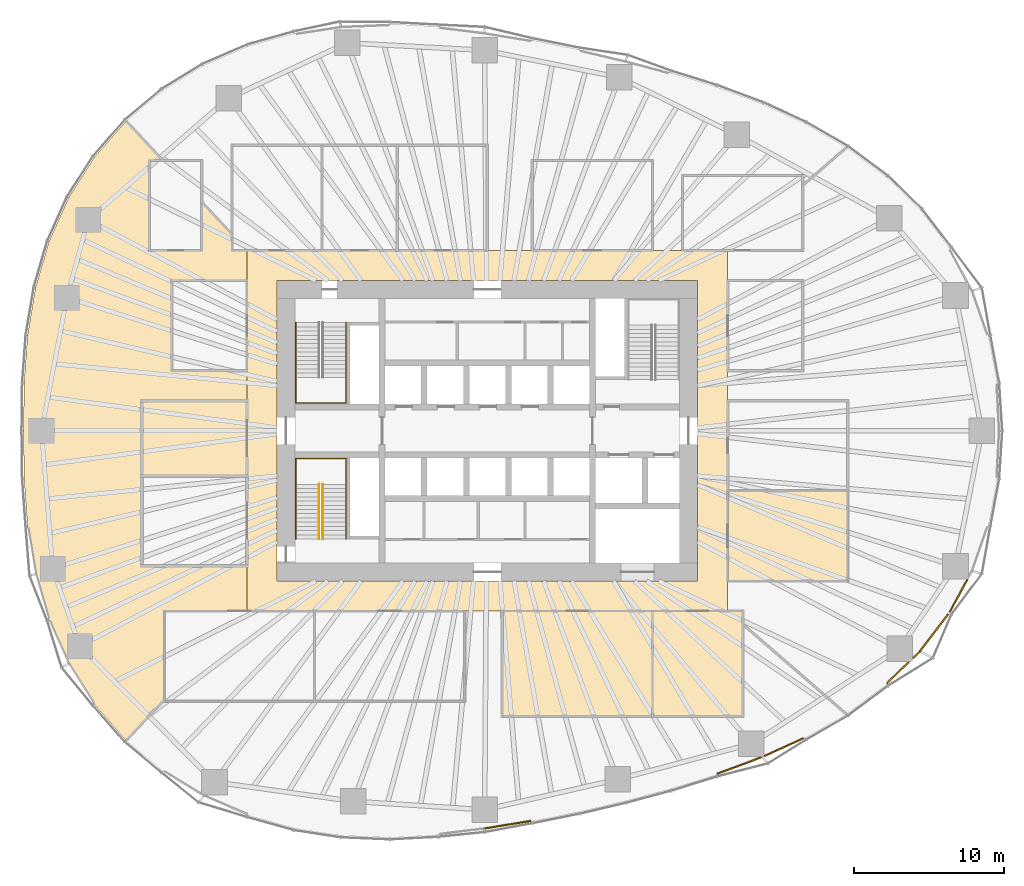
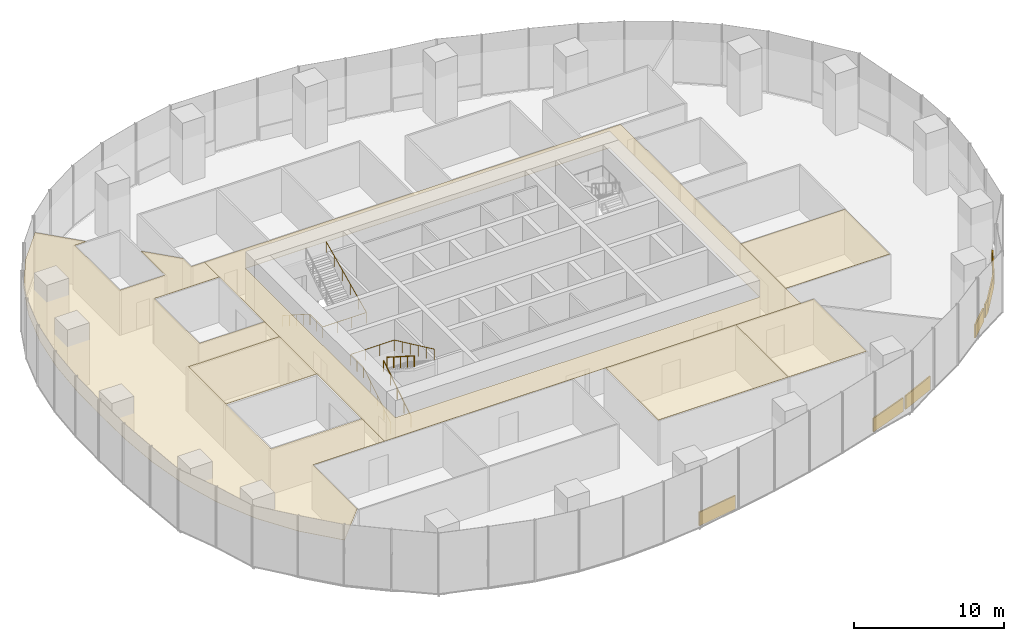
# One storey, part 18 of 20: 13 coverings, 4 railings.
"""IFC4 building model written with IfcOpenShell, lengths in metres."""

import ifcopenshell
import ifcopenshell.guid

model = None  # the IFC model being written
_history = None  # IfcOwnerHistory: only IFC2X3 demands one
_inside = {}  # id of a spatial element -> (the spatial element, [elements in it])
_under = {}  # id of a project, library or spatial element -> (it, [spatial elements below it])
_declared = {}  # id of a project -> (the project, [libraries it declares])
_typed = {}  # id of a type object -> (the type object, [elements of that type])
_made_of = {}  # id of a material, layer set ... -> (it, [elements and type objects made of it])


def new_model(schema):
    """Start an empty IFC model of exactly this schema.

    Asked for "IFC4X3", IfcOpenShell would pick the latest addendum, in which some entities
    have other attributes; the version numbers below select the first issue.
    IFC2X3 requires an IfcOwnerHistory on every rooted entity: one is made here for all.
    """
    global model, _history
    if schema == "IFC4X3":
        model = ifcopenshell.file(schema_version=(4, 3, 0, 0))
    else:
        model = ifcopenshell.file(schema=schema)
    _inside.clear()
    _under.clear()
    _declared.clear()
    _typed.clear()
    _made_of.clear()
    _history = None
    if model.schema == "IFC2X3":
        org = make("IfcOrganization", Name="unknown")
        user = make(
            "IfcPersonAndOrganization",
            ThePerson=make("IfcPerson", FamilyName="unknown"),
            TheOrganization=org,
        )
        app = make(
            "IfcApplication",
            ApplicationDeveloper=org,
            Version="unknown",
            ApplicationFullName="unknown",
            ApplicationIdentifier="unknown",
        )
        _history = make(
            "IfcOwnerHistory",
            OwningUser=user,
            OwningApplication=app,
            ChangeAction="ADDED",
            CreationDate=0,
        )
    return model


def make(cls, **values):
    """One entity of the class cls with the attributes given. An attribute that is None is left unset."""
    return model.create_entity(
        cls, **{name: value for name, value in values.items() if value is not None}
    )


def rooted(cls, **values):
    """An entity with a GlobalId (a new one), such as an element, a storey or a relation."""
    return make(cls, GlobalId=ifcopenshell.guid.new(), OwnerHistory=_history, **values)


def si_unit(unit_type, name, prefix=None):
    """IfcSIUnit, for example si_unit("LENGTHUNIT", "METRE", prefix="MILLI")."""
    return make("IfcSIUnit", UnitType=unit_type, Prefix=prefix, Name=name)


def assignment(units):
    """IfcUnitAssignment: the units of a project."""
    return None if units is None else make("IfcUnitAssignment", Units=units)


def point(xyz):
    """IfcCartesianPoint."""
    return None if xyz is None else make("IfcCartesianPoint", Coordinates=xyz)


def direction(xyz):
    """IfcDirection."""
    return None if xyz is None else make("IfcDirection", DirectionRatios=xyz)


def frame(location, z_axis=None, x_axis=None):
    """IfcAxis2Placement3D, a coordinate frame: its origin and axes. An axis left out is left unset."""
    return make(
        "IfcAxis2Placement3D",
        Location=point(location),
        Axis=direction(z_axis),
        RefDirection=direction(x_axis),
    )


def frame_2d(location, x_axis=None):
    """IfcAxis2Placement2D, a coordinate frame in the plane: its origin and x axis."""
    return make(
        "IfcAxis2Placement2D", Location=point(location), RefDirection=direction(x_axis)
    )


def origin():
    """The frame at (0, 0, 0) with its axes left unset."""
    return frame((0.0, 0.0, 0.0))


def origin_2d():
    """The frame at (0, 0) in the plane with its x axis left unset."""
    return frame_2d((0.0, 0.0))


def place(relative_to, where):
    """IfcLocalPlacement: puts the frame where relative to a parent placement (None: the world)."""
    return make(
        "IfcLocalPlacement", PlacementRelTo=relative_to, RelativePlacement=where
    )


def context(
    kind, dimensions, precision=None, world=None, true_north=None, identifier=None
):
    """IfcGeometricRepresentationContext, for example the 3D "Model" context."""
    return make(
        "IfcGeometricRepresentationContext",
        ContextIdentifier=identifier,
        ContextType=kind,
        CoordinateSpaceDimension=dimensions,
        Precision=precision,
        WorldCoordinateSystem=world,
        TrueNorth=true_north,
    )


def subcontext(parent, identifier, kind, view, scale=None):
    """IfcGeometricRepresentationSubContext, for example "Body" below "Model"."""
    return make(
        "IfcGeometricRepresentationSubContext",
        ContextIdentifier=identifier,
        ContextType=kind,
        ParentContext=parent,
        TargetScale=scale,
        TargetView=view,
    )


def project(units=None, contexts=None):
    """IfcProject with its units and contexts."""
    return rooted(
        "IfcProject",
        Name="project",
        RepresentationContexts=contexts,
        UnitsInContext=assignment(units),
    )


def spatial(cls, under=None, at=None, **own):
    """A site, building, storey or space (cls), placed at a placement, below another one or the project."""
    s = rooted(cls, ObjectPlacement=at, **own)
    if under is not None:
        _under.setdefault(under.id(), (under, []))[1].append(s)
    return s


def polyline(points):
    """IfcPolyline through the points."""
    return make("IfcPolyline", Points=[point(p) for p in points])


def profile(cls, at=None, kind="AREA", **sizes):
    """A parametric profile (cls). Its sizes go by their IFC names, for example OverallWidth=200.0."""
    return make(cls, ProfileType=kind, Position=at, **sizes)


def rectangle(**sizes):
    """IfcRectangleProfileDef."""
    return profile("IfcRectangleProfileDef", **sizes)


def circle(**sizes):
    """IfcCircleProfileDef."""
    return profile("IfcCircleProfileDef", **sizes)


def outline(outer, holes=None, kind="AREA"):
    """IfcArbitraryClosedProfileDef: a profile drawn as a closed curve; with holes, ...WithVoids."""
    if holes is None:
        return make("IfcArbitraryClosedProfileDef", ProfileType=kind, OuterCurve=outer)
    return make(
        "IfcArbitraryProfileDefWithVoids",
        ProfileType=kind,
        OuterCurve=outer,
        InnerCurves=holes,
    )


def extrude(swept, where, along, depth):
    """IfcExtrudedAreaSolid: the profile swept, set in the frame where, extruded along a direction by depth."""
    return make(
        "IfcExtrudedAreaSolid",
        SweptArea=swept,
        Position=where,
        ExtrudedDirection=direction(along),
        Depth=depth,
    )


def shape(context_of_items, identifier, shape_type, items):
    """IfcShapeRepresentation: the items that make up one representation, for example the "Body"."""
    return make(
        "IfcShapeRepresentation",
        ContextOfItems=context_of_items,
        RepresentationIdentifier=identifier,
        RepresentationType=shape_type,
        Items=items,
    )


def material(Name=None, Category=None):
    """IfcMaterial."""
    return make("IfcMaterial", Name=Name, Category=Category)


def layer(
    of_material, thickness, ventilated=None, Name=None, Category=None, Priority=None
):
    """IfcMaterialLayer: one layer of a wall or slab, of a material (None: an air gap)."""
    return make(
        "IfcMaterialLayer",
        Material=of_material,
        LayerThickness=thickness,
        IsVentilated=ventilated,
        Name=Name,
        Category=Category,
        Priority=Priority,
    )


def layer_set(layers, Name=None):
    """IfcMaterialLayerSet."""
    return make("IfcMaterialLayerSet", MaterialLayers=layers, LayerSetName=Name)


def made_of(thing, what):
    """Note that an element or type object is made of a material, layer set ...; save() writes the relation."""
    if what is not None:
        _made_of.setdefault(what.id(), (what, []))[1].append(thing)
    return thing


def type_object(cls, material=None, **own):
    """A type object (cls), such as IfcWallType, which elements share."""
    return made_of(rooted(cls, **own), material)


def element(
    cls,
    number,
    at=None,
    inside=None,
    cuts=None,
    type_object=None,
    material=None,
    context=None,
    identifier="Body",
    shape_type=None,
    held_by="IfcProductDefinitionShape",
    body=None,
    shapes=None,
    **own,
):
    """One element of the class cls, such as IfcWall. Its Tag is "e" and its number.

    at: its placement. inside: the storey or other place that contains it. cuts: it is an
    opening in that element (IfcRelVoidsElement). A single representation is given by context,
    identifier, shape_type and body (its items); several are given by shapes. held_by: the class
    of the entity that holds the representations. save() writes the other relations.
    """
    e = rooted(cls, Tag="e%d" % number, ObjectPlacement=at, **own)
    if body is not None:
        shapes = [shape(context, identifier, shape_type, body)]
    if shapes is not None:
        e.Representation = make(held_by, Representations=shapes)
    if inside is not None:
        _inside.setdefault(inside.id(), (inside, []))[1].append(e)
    if cuts is not None:
        rooted(
            "IfcRelVoidsElement", RelatingBuildingElement=cuts, RelatedOpeningElement=e
        )
    if type_object is not None:
        _typed.setdefault(type_object.id(), (type_object, []))[1].append(e)
    return made_of(e, material)


def aggregate(whole, parts):
    """IfcRelAggregates: a whole, such as a stair, and the parts it consists of."""
    return rooted("IfcRelAggregates", RelatingObject=whole, RelatedObjects=parts)


def save(model, path):
    """Write the relations noted so far, then the file.

    IfcRelAggregates (storeys below a building ...), IfcRelContainedInSpatialStructure (elements
    in a storey), IfcRelDefinesByType, IfcRelAssociatesMaterial and IfcRelDeclares: one each for
    every whole, place, type object, material and project.
    """
    for whole, parts in _under.values():
        aggregate(whole, parts)
    for where, things in _inside.values():
        rooted(
            "IfcRelContainedInSpatialStructure",
            RelatedElements=things,
            RelatingStructure=where,
        )
    for kind, things in _typed.values():
        rooted("IfcRelDefinesByType", RelatedObjects=things, RelatingType=kind)
    for what, things in _made_of.values():
        rooted("IfcRelAssociatesMaterial", RelatedObjects=things, RelatingMaterial=what)
    for by, libraries in _declared.values():
        rooted("IfcRelDeclares", RelatingContext=by, RelatedDefinitions=libraries)
    model.write(path)


model = new_model("IFC4")

# Units and contexts
model_context = context("Model", 3, precision=1e-05, world=origin(), true_north=direction((0.0, 1.0)))
body_context = subcontext(model_context, "Body", "Model", "MODEL_VIEW")
ifc_project = project(units=[si_unit("LENGTHUNIT", "METRE"), si_unit("AREAUNIT", "SQUARE_METRE"), si_unit("VOLUMEUNIT", "CUBIC_METRE"), si_unit("PLANEANGLEUNIT", "RADIAN"), si_unit("MASSUNIT", "GRAM", prefix="KILO")], contexts=[model_context])

# Site, building, storey
site_placement = place(None, origin())
site = spatial("IfcSite", under=ifc_project, at=site_placement, CompositionType="ELEMENT")
building_placement = place(site_placement, origin())
building = spatial("IfcBuilding", under=site, at=building_placement, Name="Ghaith Harvest Tower", CompositionType="ELEMENT")
storey_placement = place(building_placement, frame((0.0, 0.0, 80.0)))
storey = spatial("IfcBuildingStorey", under=building, at=storey_placement, Name="L16", CompositionType="ELEMENT", Elevation=80.0)

# Coverings
ifc_material_1 = material(Name="Mineral fibre ceiling tile", Category="gypsum")
ifc_layer_1 = layer(ifc_material_1, 0.02490234375)
ifc_layer_set_1 = layer_set([ifc_layer_1], Name="CEILING C2")
covering_type_1 = type_object("IfcCoveringType", Name="CEILING C2", PredefinedType="CEILING", material=ifc_layer_set_1)
covering_1_placement = place(storey_placement, frame((0.0, 0.0, 3.60009765625)))
element("IfcCovering", 1, at=covering_1_placement, inside=storey, type_object=covering_type_1, Name="Ceiling L16-03", PredefinedType="CEILING", context=body_context, shape_type="SweptSolid", body=[
    extrude(outline(polyline([(1.0, -19.0), (11.0, -19.0), (11.0, -12.0), (1.0, -12.0), (1.0, -19.0)])), origin(), (0.0, 0.0, 1.0), 0.02490234375),
])
covering_2_placement = place(storey_placement, frame((0.0, 0.0, 3.60009765625)))
element("IfcCovering", 2, at=covering_2_placement, inside=storey, type_object=covering_type_1, Name="Ceiling L16-04", PredefinedType="CEILING", context=body_context, shape_type="SweptSolid", body=[
    extrude(outline(polyline([(11.0, -19.0), (17.0, -19.0), (17.0, -12.0), (11.0, -12.0), (11.0, -19.0)])), origin(), (0.0, 0.0, 1.0), 0.02490234375),
])
covering_3_placement = place(storey_placement, frame((0.0, 0.0, 3.60009765625)))
element("IfcCovering", 3, at=covering_3_placement, inside=storey, type_object=covering_type_1, Name="Ceiling L16-05", PredefinedType="CEILING", context=body_context, shape_type="SweptSolid", body=[
    extrude(outline(polyline([(16.0, -10.0), (24.0, -10.0), (24.0, -4.0), (16.0, -4.0), (16.0, -10.0)])), origin(), (0.0, 0.0, 1.0), 0.02490234375),
])
covering_4_placement = place(storey_placement, frame((0.0, 0.0, 3.60009765625)))
element("IfcCovering", 4, at=covering_4_placement, inside=storey, type_object=covering_type_1, Name="Ceiling L16-12", PredefinedType="CEILING", context=body_context, shape_type="SweptSolid", body=[
    extrude(outline(polyline([(-23.0, -3.0), (-16.0, -3.0), (-16.0, 2.0), (-23.0, 2.0), (-23.0, -3.0)])), origin(), (0.0, 0.0, 1.0), 0.02490234375),
])
covering_5_placement = place(storey_placement, frame((0.0, 0.0, 3.60009765625)))
element("IfcCovering", 5, at=covering_5_placement, inside=storey, type_object=covering_type_1, Name="Ceiling L16-C1", PredefinedType="CEILING", context=body_context, shape_type="SweptSolid", body=[
    extrude(outline(polyline([(16.0, -12.0), (-16.0, -12.0), (-16.0, 12.0), (16.0, 12.0), (16.0, -12.0)]), holes=[polyline([(14.0, 10.0), (-14.0, 10.0), (-14.0, -10.0), (14.0, -10.0), (14.0, 10.0)])]), origin(), (0.0, 0.0, 1.0), 0.02490234375),
])
covering_6_placement = place(storey_placement, frame((0.0, 0.0, 3.60009765625)))
element("IfcCovering", 6, at=covering_6_placement, inside=storey, type_object=covering_type_1, Name="Ceiling L16-W1", PredefinedType="CEILING", context=body_context, shape_type="SweptSolid", body=[
    extrude(outline(polyline([(-26.16455078125, -18.20556640625), (-27.881591796875, -15.507080078125), (-29.182373046875, -12.587890625), (-30.073974609375, -9.531005859375), (-30.606689453125, -6.35107421875), (-30.837158203125, -3.165771484375), (-30.875, 0.0), (-30.837158203125, 3.165771484375), (-30.606689453125, 6.35107421875), (-30.073974609375, 9.531005859375), (-29.182373046875, 12.587890625), (-27.881591796875, 15.507080078125), (-26.16455078125, 18.20556640625), (-24.04833984375, 20.618408203125), (-21.60302734375, 18.0), (-22.5, 18.0), (-22.5, 12.0), (-19.0, 12.0), (-19.0, 15.21240234375), (-17.0, 13.07080078125), (-17.0, 12.0), (-16.0, 12.0), (-16.0, 10.0), (-21.0, 10.0), (-21.0, 4.0), (-16.0, 4.0), (-16.0, 2.0), (-23.0, 2.0), (-23.0, -9.0), (-16.0, -9.0), (-16.0, -12.0), (-21.5, -12.0), (-21.5, -17.8896484375), (-24.04833984375, -20.618408203125), (-26.16455078125, -18.20556640625)])), origin(), (0.0, 0.0, 1.0), 0.02490234375),
])

# Railings
ifc_material_2 = material(Name="Steel, black powder-coated", Category="steel")
railing_type = type_object("IfcRailingType", Name="HANDRAIL HR1", PredefinedType="HANDRAIL", material=ifc_material_2)
railing_1_placement = place(storey_placement, frame((-12.75, 7.199951171875, 0.178466796875)))
element("IfcRailing", 7, at=railing_1_placement, inside=storey, type_object=railing_type, Name="Handrail HR1 stair ST1 L16 wall side", PredefinedType="HANDRAIL", context=body_context, shape_type="SweptSolid", body=[
    extrude(circle(Radius=0.02392578125, at=origin_2d()), frame((0.0, 0.0, 0.8759765625), z_axis=(0.0, -0.843111507901, 0.53773877045), x_axis=(1.0, 0.0, 0.0)), (0.0, 0.0, 1.0), 4.317138671875),
    extrude(circle(Radius=0.02392578125, at=origin_2d()), frame((0.0, -3.639892578125, 3.197265625), z_axis=(0.0, -1.0, 0.0), x_axis=(1.0, 0.0, 0.0)), (0.0, 0.0, 1.0), 1.7099609375),
    extrude(circle(Radius=0.02392578125, at=origin_2d()), frame((0.0, -5.349853515625, 3.197265625), z_axis=(1.0, 0.0, 0.0), x_axis=(0.0, 1.0, 0.0)), (0.0, 0.0, 1.0), 3.35009765625),
    extrude(circle(Radius=0.02392578125, at=origin_2d()), frame((3.35009765625, -5.349853515625, 3.197265625), z_axis=(0.0, 0.905962265858, 0.423358444868), x_axis=(-1.0, 0.0, 0.0)), (0.0, 0.0, 1.0), 5.9052734375),
    extrude(circle(Radius=0.02099609375, at=origin_2d()), origin(), (0.0, 0.0, 1.0), 0.851806640625),
    extrude(circle(Radius=0.02099609375, at=origin_2d()), frame((0.0, -0.909912109375, 0.580322265625)), (0.0, 0.0, 1.0), 0.851806640625),
    extrude(circle(Radius=0.02099609375, at=origin_2d()), frame((0.0, -1.81982421875, 1.16064453125)), (0.0, 0.0, 1.0), 0.851806640625),
    extrude(circle(Radius=0.02099609375, at=origin_2d()), frame((0.0, -2.72998046875, 1.7412109375)), (0.0, 0.0, 1.0), 0.851806640625),
    extrude(circle(Radius=0.02099609375, at=origin_2d()), frame((0.0, -3.639892578125, 2.321533203125)), (0.0, 0.0, 1.0), 0.851806640625),
    extrude(circle(Radius=0.02099609375, at=origin_2d()), frame((0.0, -4.494873046875, 2.321533203125)), (0.0, 0.0, 1.0), 0.851806640625),
    extrude(circle(Radius=0.02099609375, at=origin_2d()), frame((0.0, -5.349853515625, 2.321533203125)), (0.0, 0.0, 1.0), 0.851806640625),
    extrude(circle(Radius=0.02099609375, at=origin_2d()), frame((1.11669921875, -5.349853515625, 2.321533203125)), (0.0, 0.0, 1.0), 0.851806640625),
    extrude(circle(Radius=0.02099609375, at=origin_2d()), frame((2.2333984375, -5.349853515625, 2.321533203125)), (0.0, 0.0, 1.0), 0.851806640625),
    extrude(circle(Radius=0.02099609375, at=origin_2d()), frame((3.35009765625, -5.349853515625, 2.321533203125)), (0.0, 0.0, 1.0), 0.851806640625),
    extrude(circle(Radius=0.02099609375, at=origin_2d()), frame((3.35009765625, -4.27978515625, 2.821533203125)), (0.0, 0.0, 1.0), 0.851806640625),
    extrude(circle(Radius=0.02099609375, at=origin_2d()), frame((3.35009765625, -3.2099609375, 3.321533203125)), (0.0, 0.0, 1.0), 0.851806640625),
    extrude(circle(Radius=0.02099609375, at=origin_2d()), frame((3.35009765625, -2.139892578125, 3.821533203125)), (0.0, 0.0, 1.0), 0.851806640625),
    extrude(circle(Radius=0.02099609375, at=origin_2d()), frame((3.35009765625, -1.070068359375, 4.321533203125)), (0.0, 0.0, 1.0), 0.851806640625),
    extrude(circle(Radius=0.02099609375, at=origin_2d()), frame((3.35009765625, 0.0, 4.821533203125)), (0.0, 0.0, 1.0), 0.851806640625),
])
railing_2_placement = place(storey_placement, frame((-11.199951171875, -7.199951171875, 0.178466796875)))
element("IfcRailing", 8, at=railing_2_placement, inside=storey, type_object=railing_type, Name="Handrail HR1 stair ST3 L16 flight 1 inner", PredefinedType="HANDRAIL", context=body_context, shape_type="SweptSolid", body=[
    extrude(circle(Radius=0.02392578125, at=origin_2d()), frame((0.0, 0.0, 0.8759765625), z_axis=(0.0, 0.843111507901, 0.53773877045), x_axis=(-1.0, 0.0, 0.0)), (0.0, 0.0, 1.0), 4.317138671875),
    extrude(circle(Radius=0.02099609375, at=origin_2d()), origin(), (0.0, 0.0, 1.0), 0.851806640625),
    extrude(circle(Radius=0.02099609375, at=origin_2d()), frame((0.0, 0.909912109375, 0.580322265625)), (0.0, 0.0, 1.0), 0.851806640625),
    extrude(circle(Radius=0.02099609375, at=origin_2d()), frame((0.0, 1.81982421875, 1.16064453125)), (0.0, 0.0, 1.0), 0.851806640625),
    extrude(circle(Radius=0.02099609375, at=origin_2d()), frame((0.0, 2.72998046875, 1.7412109375)), (0.0, 0.0, 1.0), 0.851806640625),
    extrude(circle(Radius=0.02099609375, at=origin_2d()), frame((0.0, 3.639892578125, 2.321533203125)), (0.0, 0.0, 1.0), 0.851806640625),
])
railing_3_placement = place(storey_placement, frame((-10.949951171875, -3.56005859375, 2.678466796875)))
element("IfcRailing", 9, at=railing_3_placement, inside=storey, type_object=railing_type, Name="Handrail HR1 stair ST3 L16 flight 2 inner", PredefinedType="HANDRAIL", context=body_context, shape_type="SweptSolid", body=[
    extrude(circle(Radius=0.02392578125, at=origin_2d()), frame((0.0, 0.0, 0.8759765625), z_axis=(0.0, -0.843111507901, 0.53773877045), x_axis=(1.0, 0.0, 0.0)), (0.0, 0.0, 1.0), 4.317138671875),
    extrude(circle(Radius=0.02099609375, at=origin_2d()), origin(), (0.0, 0.0, 1.0), 0.851806640625),
    extrude(circle(Radius=0.02099609375, at=origin_2d()), frame((0.0, -0.909912109375, 0.580322265625)), (0.0, 0.0, 1.0), 0.851806640625),
    extrude(circle(Radius=0.02099609375, at=origin_2d()), frame((0.0, -1.81982421875, 1.16064453125)), (0.0, 0.0, 1.0), 0.851806640625),
    extrude(circle(Radius=0.02099609375, at=origin_2d()), frame((0.0, -2.72998046875, 1.7412109375)), (0.0, 0.0, 1.0), 0.851806640625),
    extrude(circle(Radius=0.02099609375, at=origin_2d()), frame((0.0, -3.639892578125, 2.321533203125)), (0.0, 0.0, 1.0), 0.851806640625),
])
railing_4_placement = place(storey_placement, frame((-12.75, -7.199951171875, 0.178466796875)))
element("IfcRailing", 10, at=railing_4_placement, inside=storey, type_object=railing_type, Name="Handrail HR1 stair ST3 L16 wall side", PredefinedType="HANDRAIL", context=body_context, shape_type="SweptSolid", body=[
    extrude(circle(Radius=0.02392578125, at=origin_2d()), frame((0.0, 0.0, 0.8759765625), z_axis=(0.0, 0.843111507901, 0.53773877045), x_axis=(-1.0, 0.0, 0.0)), (0.0, 0.0, 1.0), 4.317138671875),
    extrude(circle(Radius=0.02392578125, at=origin_2d()), frame((0.0, 3.639892578125, 3.197265625), z_axis=(0.0, 1.0, 0.0), x_axis=(-1.0, 0.0, 0.0)), (0.0, 0.0, 1.0), 1.7099609375),
    extrude(circle(Radius=0.02392578125, at=origin_2d()), frame((0.0, 5.349853515625, 3.197265625), z_axis=(1.0, 0.0, 0.0), x_axis=(0.0, 1.0, 0.0)), (0.0, 0.0, 1.0), 3.35009765625),
    extrude(circle(Radius=0.02392578125, at=origin_2d()), frame((3.35009765625, 5.349853515625, 3.197265625), z_axis=(0.0, -0.905962265858, 0.423358444868), x_axis=(1.0, 0.0, 0.0)), (0.0, 0.0, 1.0), 5.9052734375),
    extrude(circle(Radius=0.02099609375, at=origin_2d()), origin(), (0.0, 0.0, 1.0), 0.851806640625),
    extrude(circle(Radius=0.02099609375, at=origin_2d()), frame((0.0, 0.909912109375, 0.580322265625)), (0.0, 0.0, 1.0), 0.851806640625),
    extrude(circle(Radius=0.02099609375, at=origin_2d()), frame((0.0, 1.81982421875, 1.16064453125)), (0.0, 0.0, 1.0), 0.851806640625),
    extrude(circle(Radius=0.02099609375, at=origin_2d()), frame((0.0, 2.72998046875, 1.7412109375)), (0.0, 0.0, 1.0), 0.851806640625),
    extrude(circle(Radius=0.02099609375, at=origin_2d()), frame((0.0, 3.639892578125, 2.321533203125)), (0.0, 0.0, 1.0), 0.851806640625),
    extrude(circle(Radius=0.02099609375, at=origin_2d()), frame((0.0, 4.494873046875, 2.321533203125)), (0.0, 0.0, 1.0), 0.851806640625),
    extrude(circle(Radius=0.02099609375, at=origin_2d()), frame((0.0, 5.349853515625, 2.321533203125)), (0.0, 0.0, 1.0), 0.851806640625),
    extrude(circle(Radius=0.02099609375, at=origin_2d()), frame((1.11669921875, 5.349853515625, 2.321533203125)), (0.0, 0.0, 1.0), 0.851806640625),
    extrude(circle(Radius=0.02099609375, at=origin_2d()), frame((2.2333984375, 5.349853515625, 2.321533203125)), (0.0, 0.0, 1.0), 0.851806640625),
    extrude(circle(Radius=0.02099609375, at=origin_2d()), frame((3.35009765625, 5.349853515625, 2.321533203125)), (0.0, 0.0, 1.0), 0.851806640625),
    extrude(circle(Radius=0.02099609375, at=origin_2d()), frame((3.35009765625, 4.27978515625, 2.821533203125)), (0.0, 0.0, 1.0), 0.851806640625),
    extrude(circle(Radius=0.02099609375, at=origin_2d()), frame((3.35009765625, 3.2099609375, 3.321533203125)), (0.0, 0.0, 1.0), 0.851806640625),
    extrude(circle(Radius=0.02099609375, at=origin_2d()), frame((3.35009765625, 2.139892578125, 3.821533203125)), (0.0, 0.0, 1.0), 0.851806640625),
    extrude(circle(Radius=0.02099609375, at=origin_2d()), frame((3.35009765625, 1.070068359375, 4.321533203125)), (0.0, 0.0, 1.0), 0.851806640625),
    extrude(circle(Radius=0.02099609375, at=origin_2d()), frame((3.35009765625, 0.0, 4.821533203125)), (0.0, 0.0, 1.0), 0.851806640625),
])

# Coverings
ifc_material_3 = material(Name="Insulated aluminium spandrel panel on steel framing", Category="steel")
ifc_layer_2 = layer(ifc_material_3, 0.10009765625)
ifc_layer_set_2 = layer_set([ifc_layer_2], Name="SLAB EDGE UPSTAND 1100x100")
covering_type_2 = type_object("IfcCoveringType", Name="SLAB EDGE UPSTAND 1100x100", PredefinedType="CLADDING", material=ifc_layer_set_2)
covering_7_placement = place(storey_placement, frame((1.349609375, -26.224365234375, 0.0), z_axis=(0.0, 0.0, 1.0), x_axis=(0.98671624755, 0.162453214254, 0.0)))
element("IfcCovering", 11, at=covering_7_placement, inside=storey, type_object=covering_type_2, Name="Slab edge upstand 1 bay 16 L16", PredefinedType="CLADDING", context=body_context, shape_type="SweptSolid", body=[
    extrude(rectangle(XDim=3.119873046875, YDim=0.10009765625, at=origin_2d()), origin(), (0.0, 0.0, 1.0), 1.10009765625),
])
covering_8_placement = place(storey_placement, frame((16.764404296875, -22.289306640625, 0.0), z_axis=(0.0, 0.0, 1.0), x_axis=(0.937331853701, 0.348437937139, 0.0)))
element("IfcCovering", 12, at=covering_8_placement, inside=storey, type_object=covering_type_2, Name="Slab edge upstand 3 bay 17 L16", PredefinedType="CLADDING", context=body_context, shape_type="SweptSolid", body=[
    extrude(rectangle(XDim=3.1298828125, YDim=0.10009765625, at=origin_2d()), origin(), (0.0, 0.0, 1.0), 1.10009765625),
])
covering_9_placement = place(storey_placement, frame((19.7451171875, -21.05810546875, 0.0), z_axis=(0.0, 0.0, 1.0), x_axis=(0.909046054499, 0.416695657284, 0.0)))
element("IfcCovering", 13, at=covering_9_placement, inside=storey, type_object=covering_type_2, Name="Slab edge upstand 1 bay 18 L16", PredefinedType="CLADDING", context=body_context, shape_type="SweptSolid", body=[
    extrude(rectangle(XDim=2.84326171875, YDim=0.10009765625, at=origin_2d()), origin(), (0.0, 0.0, 1.0), 1.10009765625),
])
covering_10_placement = place(storey_placement, frame((27.330810546875, -16.105224609375, 0.0), z_axis=(0.0, 0.0, 1.0), x_axis=(0.717386427289, 0.69667547247, 0.0)))
element("IfcCovering", 14, at=covering_10_placement, inside=storey, type_object=covering_type_2, Name="Slab edge upstand 1 bay 19 L16", PredefinedType="CLADDING", context=body_context, shape_type="SweptSolid", body=[
    extrude(rectangle(XDim=2.010498046875, YDim=0.10009765625, at=origin_2d()), origin(), (0.0, 0.0, 1.0), 1.10009765625),
])
covering_11_placement = place(storey_placement, frame((28.57470703125, -14.897216796875, 0.0), z_axis=(0.0, 0.0, 1.0), x_axis=(0.717386427289, 0.69667547247, 0.0)))
element("IfcCovering", 15, at=covering_11_placement, inside=storey, type_object=covering_type_2, Name="Slab edge upstand 1 bay 19 L16", PredefinedType="CLADDING", context=body_context, shape_type="SweptSolid", body=[
    extrude(rectangle(XDim=0.643310546875, YDim=0.10009765625, at=origin_2d()), origin(), (0.0, 0.0, 1.0), 1.10009765625),
])
covering_12_placement = place(storey_placement, frame((29.74267578125, -13.44921875, 0.0), z_axis=(0.0, 0.0, 1.0), x_axis=(0.608255123652, 0.7937415855, 0.0)))
element("IfcCovering", 16, at=covering_12_placement, inside=storey, type_object=covering_type_2, Name="Slab edge upstand 2 bay 19 L16", PredefinedType="CLADDING", context=body_context, shape_type="SweptSolid", body=[
    extrude(rectangle(XDim=3.09765625, YDim=0.10009765625, at=origin_2d()), origin(), (0.0, 0.0, 1.0), 1.10009765625),
])
covering_13_placement = place(storey_placement, frame((31.3759765625, -10.9755859375, 0.0), z_axis=(0.0, 0.0, 1.0), x_axis=(0.4763492928, 0.879256135178, 0.0)))
element("IfcCovering", 17, at=covering_13_placement, inside=storey, type_object=covering_type_2, Name="Slab edge upstand 3 bay 19 L16", PredefinedType="CLADDING", context=body_context, shape_type="SweptSolid", body=[
    extrude(rectangle(XDim=2.46484375, YDim=0.10009765625, at=origin_2d()), origin(), (0.0, 0.0, 1.0), 1.10009765625),
])

save(model, "model.ifc")
